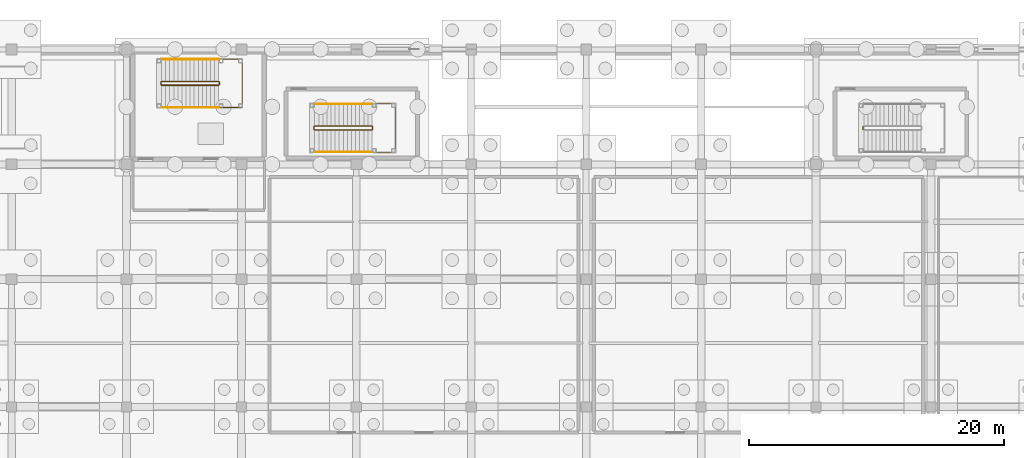
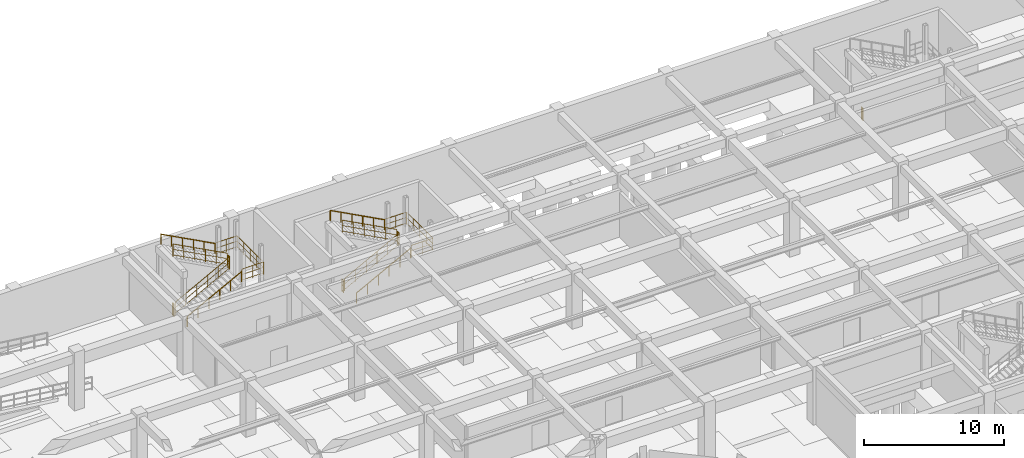
# One storey, part 60 of 62: 15 railings.
"""IFC4 building model written with IfcOpenShell, lengths in metres."""

from ifc_helpers import new_model, si_unit, direction, frame, origin, origin_2d, place, context, subcontext, project, spatial, circle, extrude, material, type_object, element, save


model = new_model("IFC4")

# Units and contexts
model_context = context("Model", 3, precision=1e-05, world=origin(), true_north=direction((0.0, 1.0)))
body_context = subcontext(model_context, "Body", "Model", "MODEL_VIEW")
ifc_project = project(units=[si_unit("LENGTHUNIT", "METRE"), si_unit("AREAUNIT", "SQUARE_METRE"), si_unit("VOLUMEUNIT", "CUBIC_METRE"), si_unit("PLANEANGLEUNIT", "RADIAN"), si_unit("MASSUNIT", "GRAM", prefix="KILO")], contexts=[model_context])

# Site, building, storey
site_placement = place(None, origin())
site = spatial("IfcSite", under=ifc_project, at=site_placement, CompositionType="ELEMENT")
building_placement = place(site_placement, origin())
building = spatial("IfcBuilding", under=site, at=building_placement, Name="Miravela Opera House", CompositionType="ELEMENT")
storey_placement = place(building_placement, frame((0.0, 0.0, -5.10009765625)))
storey = spatial("IfcBuildingStorey", under=building, at=storey_placement, Name="B01", CompositionType="ELEMENT", Elevation=-5.10009765625)

# Railings
ifc_material_1 = material(Name="Brushed bronze continuous stair handrail")
railing_type_1 = type_object("IfcRailingType", Name="ARC-RAIL-HAND-900", PredefinedType="HANDRAIL", material=ifc_material_1)
railing_1_placement = place(storey_placement, frame((65.739990234375, 107.449951171875, 0.170166015625)))
element("IfcRailing", 1, at=railing_1_placement, inside=storey, type_object=railing_type_1, Name="B01 ST-05 stair handrail 1", PredefinedType="HANDRAIL", context=body_context, shape_type="SweptSolid", body=[
    extrude(circle(Radius=0.02392578125, at=origin_2d()), frame((0.0, 0.0, 0.8759765625), z_axis=(0.883124442951, 0.0, 0.469138804899), x_axis=(0.0, 1.0, 0.0)), (0.0, 0.0, 1.0), 5.07275390625),
    extrude(circle(Radius=0.02099609375, at=origin_2d()), origin(), (0.0, 0.0, 1.0), 0.851806640625),
    extrude(circle(Radius=0.02099609375, at=origin_2d()), frame((0.89599609375, 0.0, 0.47607421875)), (0.0, 0.0, 1.0), 0.851806640625),
    extrude(circle(Radius=0.02099609375, at=origin_2d()), frame((1.7919921875, 0.0, 0.951904296875)), (0.0, 0.0, 1.0), 0.851806640625),
    extrude(circle(Radius=0.02099609375, at=origin_2d()), frame((2.68798828125, 0.0, 1.427978515625)), (0.0, 0.0, 1.0), 0.851806640625),
    extrude(circle(Radius=0.02099609375, at=origin_2d()), frame((3.583984375, 0.0, 1.90380859375)), (0.0, 0.0, 1.0), 0.851806640625),
    extrude(circle(Radius=0.02099609375, at=origin_2d()), frame((4.47998046875, 0.0, 2.3798828125)), (0.0, 0.0, 1.0), 0.851806640625),
])
railing_2_placement = place(storey_placement, frame((70.219970703125, 111.22998046875, 2.72021484375)))
element("IfcRailing", 2, at=railing_2_placement, inside=storey, type_object=railing_type_1, Name="B01 ST-05 stair handrail 2", PredefinedType="HANDRAIL", context=body_context, shape_type="SweptSolid", body=[
    extrude(circle(Radius=0.02392578125, at=origin_2d()), frame((0.0, 0.0, 0.8759765625), z_axis=(-0.883124442951, 0.0, 0.469138804899), x_axis=(0.0, -1.0, 0.0)), (0.0, 0.0, 1.0), 5.07275390625),
    extrude(circle(Radius=0.02099609375, at=origin_2d()), origin(), (0.0, 0.0, 1.0), 0.851806640625),
    extrude(circle(Radius=0.02099609375, at=origin_2d()), frame((-0.89599609375, 0.0, 0.47607421875)), (0.0, 0.0, 1.0), 0.851806640625),
    extrude(circle(Radius=0.02099609375, at=origin_2d()), frame((-1.7919921875, 0.0, 0.951904296875)), (0.0, 0.0, 1.0), 0.851806640625),
    extrude(circle(Radius=0.02099609375, at=origin_2d()), frame((-2.68798828125, 0.0, 1.427978515625)), (0.0, 0.0, 1.0), 0.851806640625),
    extrude(circle(Radius=0.02099609375, at=origin_2d()), frame((-3.583984375, 0.0, 1.90380859375)), (0.0, 0.0, 1.0), 0.851806640625),
    extrude(circle(Radius=0.02099609375, at=origin_2d()), frame((-4.47998046875, 0.0, 2.3798828125)), (0.0, 0.0, 1.0), 0.851806640625),
])
railing_3_placement = place(storey_placement, frame((77.739990234375, 103.949951171875, 0.170166015625)))
element("IfcRailing", 3, at=railing_3_placement, inside=storey, type_object=railing_type_1, Name="B01 ST-07 stair handrail 1", PredefinedType="HANDRAIL", context=body_context, shape_type="SweptSolid", body=[
    extrude(circle(Radius=0.02392578125, at=origin_2d()), frame((0.0, 0.0, 0.8759765625), z_axis=(0.883124442951, 0.0, 0.469138804899), x_axis=(0.0, 1.0, 0.0)), (0.0, 0.0, 1.0), 5.07275390625),
    extrude(circle(Radius=0.02099609375, at=origin_2d()), origin(), (0.0, 0.0, 1.0), 0.851806640625),
    extrude(circle(Radius=0.02099609375, at=origin_2d()), frame((0.89599609375, 0.0, 0.47607421875)), (0.0, 0.0, 1.0), 0.851806640625),
    extrude(circle(Radius=0.02099609375, at=origin_2d()), frame((1.7919921875, 0.0, 0.951904296875)), (0.0, 0.0, 1.0), 0.851806640625),
    extrude(circle(Radius=0.02099609375, at=origin_2d()), frame((2.68798828125, 0.0, 1.427978515625)), (0.0, 0.0, 1.0), 0.851806640625),
    extrude(circle(Radius=0.02099609375, at=origin_2d()), frame((3.583984375, 0.0, 1.90380859375)), (0.0, 0.0, 1.0), 0.851806640625),
    extrude(circle(Radius=0.02099609375, at=origin_2d()), frame((4.47998046875, 0.0, 2.3798828125)), (0.0, 0.0, 1.0), 0.851806640625),
])
railing_4_placement = place(storey_placement, frame((82.219970703125, 107.72998046875, 2.72021484375)))
element("IfcRailing", 4, at=railing_4_placement, inside=storey, type_object=railing_type_1, Name="B01 ST-07 stair handrail 2", PredefinedType="HANDRAIL", context=body_context, shape_type="SweptSolid", body=[
    extrude(circle(Radius=0.02392578125, at=origin_2d()), frame((0.0, 0.0, 0.8759765625), z_axis=(-0.883124442951, 0.0, 0.469138804899), x_axis=(0.0, -1.0, 0.0)), (0.0, 0.0, 1.0), 5.07275390625),
    extrude(circle(Radius=0.02099609375, at=origin_2d()), origin(), (0.0, 0.0, 1.0), 0.851806640625),
    extrude(circle(Radius=0.02099609375, at=origin_2d()), frame((-0.89599609375, 0.0, 0.47607421875)), (0.0, 0.0, 1.0), 0.851806640625),
    extrude(circle(Radius=0.02099609375, at=origin_2d()), frame((-1.7919921875, 0.0, 0.951904296875)), (0.0, 0.0, 1.0), 0.851806640625),
    extrude(circle(Radius=0.02099609375, at=origin_2d()), frame((-2.68798828125, 0.0, 1.427978515625)), (0.0, 0.0, 1.0), 0.851806640625),
    extrude(circle(Radius=0.02099609375, at=origin_2d()), frame((-3.583984375, 0.0, 1.90380859375)), (0.0, 0.0, 1.0), 0.851806640625),
    extrude(circle(Radius=0.02099609375, at=origin_2d()), frame((-4.47998046875, 0.0, 2.3798828125)), (0.0, 0.0, 1.0), 0.851806640625),
])
ifc_material_2 = material(Name="Painted wrought-iron stair guardrail")
railing_type_2 = type_object("IfcRailingType", Name="ARC-RAIL-STAIR-GUARD", PredefinedType="GUARDRAIL", material=ifc_material_2)
railing_5_placement = place(storey_placement, frame((65.739990234375, 109.18994140625, 0.170166015625)))
element("IfcRailing", 5, at=railing_5_placement, inside=storey, type_object=railing_type_2, Name="B01 ST-05 stair guard 1", PredefinedType="GUARDRAIL", context=body_context, shape_type="SweptSolid", body=[
    extrude(circle(Radius=0.02392578125, at=origin_2d()), frame((0.0, 0.0, 1.076171875), z_axis=(0.883124442951, 0.0, 0.469138804899), x_axis=(0.0, 1.0, 0.0)), (0.0, 0.0, 1.0), 5.07275390625),
    extrude(circle(Radius=0.01611328125, at=origin_2d()), frame((0.0, 0.0, 0.60498046875), z_axis=(0.883124442951, 0.0, 0.469138804899), x_axis=(0.0, 1.0, 0.0)), (0.0, 0.0, 1.0), 5.07275390625),
    extrude(circle(Radius=0.01611328125, at=origin_2d()), frame((0.0, 0.0, 0.1201171875), z_axis=(0.883124442951, 0.0, 0.469138804899), x_axis=(0.0, 1.0, 0.0)), (0.0, 0.0, 1.0), 5.07275390625),
    extrude(circle(Radius=0.02099609375, at=origin_2d()), origin(), (0.0, 0.0, 1.0), 1.052001953125),
    extrude(circle(Radius=0.02099609375, at=origin_2d()), frame((0.89599609375, 0.0, 0.47607421875)), (0.0, 0.0, 1.0), 1.052001953125),
    extrude(circle(Radius=0.02099609375, at=origin_2d()), frame((1.7919921875, 0.0, 0.951904296875)), (0.0, 0.0, 1.0), 1.052001953125),
    extrude(circle(Radius=0.02099609375, at=origin_2d()), frame((2.68798828125, 0.0, 1.427978515625)), (0.0, 0.0, 1.0), 1.052001953125),
    extrude(circle(Radius=0.02099609375, at=origin_2d()), frame((3.583984375, 0.0, 1.90380859375)), (0.0, 0.0, 1.0), 1.052001953125),
    extrude(circle(Radius=0.02099609375, at=origin_2d()), frame((4.47998046875, 0.0, 2.3798828125)), (0.0, 0.0, 1.0), 1.052001953125),
])
railing_6_placement = place(storey_placement, frame((70.27001953125, 109.239990234375, 2.550048828125)))
element("IfcRailing", 6, at=railing_6_placement, inside=storey, type_object=railing_type_2, Name="B01 ST-05 stair guard 2", PredefinedType="GUARDRAIL", context=body_context, shape_type="SweptSolid", body=[
    extrude(circle(Radius=0.02392578125, at=origin_2d()), frame((0.0, 0.0, 1.076171875), z_axis=(0.0, 1.0, 0.0), x_axis=(-1.0, 0.0, 0.0)), (0.0, 0.0, 1.0), 0.199951171875),
    extrude(circle(Radius=0.01611328125, at=origin_2d()), frame((0.0, 0.0, 0.60498046875), z_axis=(0.0, 1.0, 0.0), x_axis=(-1.0, 0.0, 0.0)), (0.0, 0.0, 1.0), 0.199951171875),
    extrude(circle(Radius=0.01611328125, at=origin_2d()), frame((0.0, 0.0, 0.1201171875), z_axis=(0.0, 1.0, 0.0), x_axis=(-1.0, 0.0, 0.0)), (0.0, 0.0, 1.0), 0.199951171875),
    extrude(circle(Radius=0.02099609375, at=origin_2d()), origin(), (0.0, 0.0, 1.0), 1.052001953125),
    extrude(circle(Radius=0.02099609375, at=origin_2d()), frame((0.0, 0.199951171875, 0.0)), (0.0, 0.0, 1.0), 1.052001953125),
])
railing_7_placement = place(storey_placement, frame((70.219970703125, 109.489990234375, 2.72021484375)))
element("IfcRailing", 7, at=railing_7_placement, inside=storey, type_object=railing_type_2, Name="B01 ST-05 stair guard 3", PredefinedType="GUARDRAIL", context=body_context, shape_type="SweptSolid", body=[
    extrude(circle(Radius=0.02392578125, at=origin_2d()), frame((0.0, 0.0, 1.076171875), z_axis=(-0.883124442951, 0.0, 0.469138804899), x_axis=(0.0, -1.0, 0.0)), (0.0, 0.0, 1.0), 5.07275390625),
    extrude(circle(Radius=0.01611328125, at=origin_2d()), frame((0.0, 0.0, 0.60498046875), z_axis=(-0.883124442951, 0.0, 0.469138804899), x_axis=(0.0, -1.0, 0.0)), (0.0, 0.0, 1.0), 5.07275390625),
    extrude(circle(Radius=0.01611328125, at=origin_2d()), frame((0.0, 0.0, 0.1201171875), z_axis=(-0.883124442951, 0.0, 0.469138804899), x_axis=(0.0, -1.0, 0.0)), (0.0, 0.0, 1.0), 5.07275390625),
    extrude(circle(Radius=0.02099609375, at=origin_2d()), origin(), (0.0, 0.0, 1.0), 1.052001953125),
    extrude(circle(Radius=0.02099609375, at=origin_2d()), frame((-0.89599609375, 0.0, 0.47607421875)), (0.0, 0.0, 1.0), 1.052001953125),
    extrude(circle(Radius=0.02099609375, at=origin_2d()), frame((-1.7919921875, 0.0, 0.951904296875)), (0.0, 0.0, 1.0), 1.052001953125),
    extrude(circle(Radius=0.02099609375, at=origin_2d()), frame((-2.68798828125, 0.0, 1.427978515625)), (0.0, 0.0, 1.0), 1.052001953125),
    extrude(circle(Radius=0.02099609375, at=origin_2d()), frame((-3.583984375, 0.0, 1.90380859375)), (0.0, 0.0, 1.0), 1.052001953125),
    extrude(circle(Radius=0.02099609375, at=origin_2d()), frame((-4.47998046875, 0.0, 2.3798828125)), (0.0, 0.0, 1.0), 1.052001953125),
])
railing_8_placement = place(storey_placement, frame((65.68994140625, 109.239990234375, 0.0)))
element("IfcRailing", 8, at=railing_8_placement, inside=storey, type_object=railing_type_2, Name="B01 ST-05 stair guard 4", PredefinedType="GUARDRAIL", context=body_context, shape_type="SweptSolid", body=[
    extrude(circle(Radius=0.02392578125, at=origin_2d()), frame((0.0, 0.0, 1.076171875), z_axis=(0.0, 1.0, 0.0), x_axis=(-1.0, 0.0, 0.0)), (0.0, 0.0, 1.0), 0.199951171875),
    extrude(circle(Radius=0.01611328125, at=origin_2d()), frame((0.0, 0.0, 0.60498046875), z_axis=(0.0, 1.0, 0.0), x_axis=(-1.0, 0.0, 0.0)), (0.0, 0.0, 1.0), 0.199951171875),
    extrude(circle(Radius=0.01611328125, at=origin_2d()), frame((0.0, 0.0, 0.1201171875), z_axis=(0.0, 1.0, 0.0), x_axis=(-1.0, 0.0, 0.0)), (0.0, 0.0, 1.0), 0.199951171875),
    extrude(circle(Radius=0.02099609375, at=origin_2d()), origin(), (0.0, 0.0, 1.0), 1.052001953125),
    extrude(circle(Radius=0.02099609375, at=origin_2d()), frame((0.0, 0.199951171875, 0.0)), (0.0, 0.0, 1.0), 1.052001953125),
])
railing_9_placement = place(storey_placement, frame((70.27001953125, 107.449951171875, 2.550048828125)))
element("IfcRailing", 9, at=railing_9_placement, inside=storey, type_object=railing_type_2, Name="Stair ST-05 Half-Landing Perimeter Guard (B01) 0049", PredefinedType="GUARDRAIL", context=body_context, shape_type="SweptSolid", body=[
    extrude(circle(Radius=0.02392578125, at=origin_2d()), frame((0.0, 0.0, 1.076171875), z_axis=(1.0, 0.0, 0.0), x_axis=(0.0, 1.0, 0.0)), (0.0, 0.0, 1.0), 1.780029296875),
    extrude(circle(Radius=0.01611328125, at=origin_2d()), frame((0.0, 0.0, 0.60498046875), z_axis=(1.0, 0.0, 0.0), x_axis=(0.0, 1.0, 0.0)), (0.0, 0.0, 1.0), 1.780029296875),
    extrude(circle(Radius=0.01611328125, at=origin_2d()), frame((0.0, 0.0, 0.1201171875), z_axis=(1.0, 0.0, 0.0), x_axis=(0.0, 1.0, 0.0)), (0.0, 0.0, 1.0), 1.780029296875),
    extrude(circle(Radius=0.02392578125, at=origin_2d()), frame((1.780029296875, 0.0, 1.076171875), z_axis=(0.0, 1.0, 0.0), x_axis=(-1.0, 0.0, 0.0)), (0.0, 0.0, 1.0), 3.780029296875),
    extrude(circle(Radius=0.01611328125, at=origin_2d()), frame((1.780029296875, 0.0, 0.60498046875), z_axis=(0.0, 1.0, 0.0), x_axis=(-1.0, 0.0, 0.0)), (0.0, 0.0, 1.0), 3.780029296875),
    extrude(circle(Radius=0.01611328125, at=origin_2d()), frame((1.780029296875, 0.0, 0.1201171875), z_axis=(0.0, 1.0, 0.0), x_axis=(-1.0, 0.0, 0.0)), (0.0, 0.0, 1.0), 3.780029296875),
    extrude(circle(Radius=0.02392578125, at=origin_2d()), frame((1.780029296875, 3.780029296875, 1.076171875), z_axis=(-1.0, 0.0, 0.0), x_axis=(0.0, -1.0, 0.0)), (0.0, 0.0, 1.0), 1.780029296875),
    extrude(circle(Radius=0.01611328125, at=origin_2d()), frame((1.780029296875, 3.780029296875, 0.60498046875), z_axis=(-1.0, 0.0, 0.0), x_axis=(0.0, -1.0, 0.0)), (0.0, 0.0, 1.0), 1.780029296875),
    extrude(circle(Radius=0.01611328125, at=origin_2d()), frame((1.780029296875, 3.780029296875, 0.1201171875), z_axis=(-1.0, 0.0, 0.0), x_axis=(0.0, -1.0, 0.0)), (0.0, 0.0, 1.0), 1.780029296875),
    extrude(circle(Radius=0.02099609375, at=origin_2d()), origin(), (0.0, 0.0, 1.0), 1.052001953125),
    extrude(circle(Radius=0.02099609375, at=origin_2d()), frame((0.89013671875, 0.0, 0.0)), (0.0, 0.0, 1.0), 1.052001953125),
    extrude(circle(Radius=0.02099609375, at=origin_2d()), frame((1.780029296875, 0.0, 0.0)), (0.0, 0.0, 1.0), 1.052001953125),
    extrude(circle(Radius=0.02099609375, at=origin_2d()), frame((1.780029296875, 0.945068359375, 0.0)), (0.0, 0.0, 1.0), 1.052001953125),
    extrude(circle(Radius=0.02099609375, at=origin_2d()), frame((1.780029296875, 1.89013671875, 0.0)), (0.0, 0.0, 1.0), 1.052001953125),
    extrude(circle(Radius=0.02099609375, at=origin_2d()), frame((1.780029296875, 2.8349609375, 0.0)), (0.0, 0.0, 1.0), 1.052001953125),
    extrude(circle(Radius=0.02099609375, at=origin_2d()), frame((1.780029296875, 3.780029296875, 0.0)), (0.0, 0.0, 1.0), 1.052001953125),
    extrude(circle(Radius=0.02099609375, at=origin_2d()), frame((0.89013671875, 3.780029296875, 0.0)), (0.0, 0.0, 1.0), 1.052001953125),
    extrude(circle(Radius=0.02099609375, at=origin_2d()), frame((0.0, 3.780029296875, 0.0)), (0.0, 0.0, 1.0), 1.052001953125),
])
railing_10_placement = place(storey_placement, frame((77.739990234375, 105.68994140625, 0.170166015625)))
element("IfcRailing", 10, at=railing_10_placement, inside=storey, type_object=railing_type_2, Name="B01 ST-07 stair guard 1", PredefinedType="GUARDRAIL", context=body_context, shape_type="SweptSolid", body=[
    extrude(circle(Radius=0.02392578125, at=origin_2d()), frame((0.0, 0.0, 1.076171875), z_axis=(0.883124442951, 0.0, 0.469138804899), x_axis=(0.0, 1.0, 0.0)), (0.0, 0.0, 1.0), 5.07275390625),
    extrude(circle(Radius=0.01611328125, at=origin_2d()), frame((0.0, 0.0, 0.60498046875), z_axis=(0.883124442951, 0.0, 0.469138804899), x_axis=(0.0, 1.0, 0.0)), (0.0, 0.0, 1.0), 5.07275390625),
    extrude(circle(Radius=0.01611328125, at=origin_2d()), frame((0.0, 0.0, 0.1201171875), z_axis=(0.883124442951, 0.0, 0.469138804899), x_axis=(0.0, 1.0, 0.0)), (0.0, 0.0, 1.0), 5.07275390625),
    extrude(circle(Radius=0.02099609375, at=origin_2d()), origin(), (0.0, 0.0, 1.0), 1.052001953125),
    extrude(circle(Radius=0.02099609375, at=origin_2d()), frame((0.89599609375, 0.0, 0.47607421875)), (0.0, 0.0, 1.0), 1.052001953125),
    extrude(circle(Radius=0.02099609375, at=origin_2d()), frame((1.7919921875, 0.0, 0.951904296875)), (0.0, 0.0, 1.0), 1.052001953125),
    extrude(circle(Radius=0.02099609375, at=origin_2d()), frame((2.68798828125, 0.0, 1.427978515625)), (0.0, 0.0, 1.0), 1.052001953125),
    extrude(circle(Radius=0.02099609375, at=origin_2d()), frame((3.583984375, 0.0, 1.90380859375)), (0.0, 0.0, 1.0), 1.052001953125),
    extrude(circle(Radius=0.02099609375, at=origin_2d()), frame((4.47998046875, 0.0, 2.3798828125)), (0.0, 0.0, 1.0), 1.052001953125),
])
railing_11_placement = place(storey_placement, frame((82.27001953125, 105.739990234375, 2.550048828125)))
element("IfcRailing", 11, at=railing_11_placement, inside=storey, type_object=railing_type_2, Name="B01 ST-07 stair guard 2", PredefinedType="GUARDRAIL", context=body_context, shape_type="SweptSolid", body=[
    extrude(circle(Radius=0.02392578125, at=origin_2d()), frame((0.0, 0.0, 1.076171875), z_axis=(0.0, 1.0, 0.0), x_axis=(-1.0, 0.0, 0.0)), (0.0, 0.0, 1.0), 0.199951171875),
    extrude(circle(Radius=0.01611328125, at=origin_2d()), frame((0.0, 0.0, 0.60498046875), z_axis=(0.0, 1.0, 0.0), x_axis=(-1.0, 0.0, 0.0)), (0.0, 0.0, 1.0), 0.199951171875),
    extrude(circle(Radius=0.01611328125, at=origin_2d()), frame((0.0, 0.0, 0.1201171875), z_axis=(0.0, 1.0, 0.0), x_axis=(-1.0, 0.0, 0.0)), (0.0, 0.0, 1.0), 0.199951171875),
    extrude(circle(Radius=0.02099609375, at=origin_2d()), origin(), (0.0, 0.0, 1.0), 1.052001953125),
    extrude(circle(Radius=0.02099609375, at=origin_2d()), frame((0.0, 0.199951171875, 0.0)), (0.0, 0.0, 1.0), 1.052001953125),
])
railing_12_placement = place(storey_placement, frame((82.219970703125, 105.989990234375, 2.72021484375)))
element("IfcRailing", 12, at=railing_12_placement, inside=storey, type_object=railing_type_2, Name="B01 ST-07 stair guard 3", PredefinedType="GUARDRAIL", context=body_context, shape_type="SweptSolid", body=[
    extrude(circle(Radius=0.02392578125, at=origin_2d()), frame((0.0, 0.0, 1.076171875), z_axis=(-0.883124442951, 0.0, 0.469138804899), x_axis=(0.0, -1.0, 0.0)), (0.0, 0.0, 1.0), 5.07275390625),
    extrude(circle(Radius=0.01611328125, at=origin_2d()), frame((0.0, 0.0, 0.60498046875), z_axis=(-0.883124442951, 0.0, 0.469138804899), x_axis=(0.0, -1.0, 0.0)), (0.0, 0.0, 1.0), 5.07275390625),
    extrude(circle(Radius=0.01611328125, at=origin_2d()), frame((0.0, 0.0, 0.1201171875), z_axis=(-0.883124442951, 0.0, 0.469138804899), x_axis=(0.0, -1.0, 0.0)), (0.0, 0.0, 1.0), 5.07275390625),
    extrude(circle(Radius=0.02099609375, at=origin_2d()), origin(), (0.0, 0.0, 1.0), 1.052001953125),
    extrude(circle(Radius=0.02099609375, at=origin_2d()), frame((-0.89599609375, 0.0, 0.47607421875)), (0.0, 0.0, 1.0), 1.052001953125),
    extrude(circle(Radius=0.02099609375, at=origin_2d()), frame((-1.7919921875, 0.0, 0.951904296875)), (0.0, 0.0, 1.0), 1.052001953125),
    extrude(circle(Radius=0.02099609375, at=origin_2d()), frame((-2.68798828125, 0.0, 1.427978515625)), (0.0, 0.0, 1.0), 1.052001953125),
    extrude(circle(Radius=0.02099609375, at=origin_2d()), frame((-3.583984375, 0.0, 1.90380859375)), (0.0, 0.0, 1.0), 1.052001953125),
    extrude(circle(Radius=0.02099609375, at=origin_2d()), frame((-4.47998046875, 0.0, 2.3798828125)), (0.0, 0.0, 1.0), 1.052001953125),
])
railing_13_placement = place(storey_placement, frame((77.68994140625, 105.739990234375, 0.0)))
element("IfcRailing", 13, at=railing_13_placement, inside=storey, type_object=railing_type_2, Name="B01 ST-07 stair guard 4", PredefinedType="GUARDRAIL", context=body_context, shape_type="SweptSolid", body=[
    extrude(circle(Radius=0.02392578125, at=origin_2d()), frame((0.0, 0.0, 1.076171875), z_axis=(0.0, 1.0, 0.0), x_axis=(-1.0, 0.0, 0.0)), (0.0, 0.0, 1.0), 0.199951171875),
    extrude(circle(Radius=0.01611328125, at=origin_2d()), frame((0.0, 0.0, 0.60498046875), z_axis=(0.0, 1.0, 0.0), x_axis=(-1.0, 0.0, 0.0)), (0.0, 0.0, 1.0), 0.199951171875),
    extrude(circle(Radius=0.01611328125, at=origin_2d()), frame((0.0, 0.0, 0.1201171875), z_axis=(0.0, 1.0, 0.0), x_axis=(-1.0, 0.0, 0.0)), (0.0, 0.0, 1.0), 0.199951171875),
    extrude(circle(Radius=0.02099609375, at=origin_2d()), origin(), (0.0, 0.0, 1.0), 1.052001953125),
    extrude(circle(Radius=0.02099609375, at=origin_2d()), frame((0.0, 0.199951171875, 0.0)), (0.0, 0.0, 1.0), 1.052001953125),
])
railing_14_placement = place(storey_placement, frame((82.27001953125, 103.949951171875, 2.550048828125)))
element("IfcRailing", 14, at=railing_14_placement, inside=storey, type_object=railing_type_2, Name="Stair ST-07 Half-Landing Perimeter Guard (B01) 0067", PredefinedType="GUARDRAIL", context=body_context, shape_type="SweptSolid", body=[
    extrude(circle(Radius=0.02392578125, at=origin_2d()), frame((0.0, 0.0, 1.076171875), z_axis=(1.0, 0.0, 0.0), x_axis=(0.0, 1.0, 0.0)), (0.0, 0.0, 1.0), 1.780029296875),
    extrude(circle(Radius=0.01611328125, at=origin_2d()), frame((0.0, 0.0, 0.60498046875), z_axis=(1.0, 0.0, 0.0), x_axis=(0.0, 1.0, 0.0)), (0.0, 0.0, 1.0), 1.780029296875),
    extrude(circle(Radius=0.01611328125, at=origin_2d()), frame((0.0, 0.0, 0.1201171875), z_axis=(1.0, 0.0, 0.0), x_axis=(0.0, 1.0, 0.0)), (0.0, 0.0, 1.0), 1.780029296875),
    extrude(circle(Radius=0.02392578125, at=origin_2d()), frame((1.780029296875, 0.0, 1.076171875), z_axis=(0.0, 1.0, 0.0), x_axis=(-1.0, 0.0, 0.0)), (0.0, 0.0, 1.0), 3.780029296875),
    extrude(circle(Radius=0.01611328125, at=origin_2d()), frame((1.780029296875, 0.0, 0.60498046875), z_axis=(0.0, 1.0, 0.0), x_axis=(-1.0, 0.0, 0.0)), (0.0, 0.0, 1.0), 3.780029296875),
    extrude(circle(Radius=0.01611328125, at=origin_2d()), frame((1.780029296875, 0.0, 0.1201171875), z_axis=(0.0, 1.0, 0.0), x_axis=(-1.0, 0.0, 0.0)), (0.0, 0.0, 1.0), 3.780029296875),
    extrude(circle(Radius=0.02392578125, at=origin_2d()), frame((1.780029296875, 3.780029296875, 1.076171875), z_axis=(-1.0, 0.0, 0.0), x_axis=(0.0, -1.0, 0.0)), (0.0, 0.0, 1.0), 1.780029296875),
    extrude(circle(Radius=0.01611328125, at=origin_2d()), frame((1.780029296875, 3.780029296875, 0.60498046875), z_axis=(-1.0, 0.0, 0.0), x_axis=(0.0, -1.0, 0.0)), (0.0, 0.0, 1.0), 1.780029296875),
    extrude(circle(Radius=0.01611328125, at=origin_2d()), frame((1.780029296875, 3.780029296875, 0.1201171875), z_axis=(-1.0, 0.0, 0.0), x_axis=(0.0, -1.0, 0.0)), (0.0, 0.0, 1.0), 1.780029296875),
    extrude(circle(Radius=0.02099609375, at=origin_2d()), origin(), (0.0, 0.0, 1.0), 1.052001953125),
    extrude(circle(Radius=0.02099609375, at=origin_2d()), frame((0.89013671875, 0.0, 0.0)), (0.0, 0.0, 1.0), 1.052001953125),
    extrude(circle(Radius=0.02099609375, at=origin_2d()), frame((1.780029296875, 0.0, 0.0)), (0.0, 0.0, 1.0), 1.052001953125),
    extrude(circle(Radius=0.02099609375, at=origin_2d()), frame((1.780029296875, 0.945068359375, 0.0)), (0.0, 0.0, 1.0), 1.052001953125),
    extrude(circle(Radius=0.02099609375, at=origin_2d()), frame((1.780029296875, 1.89013671875, 0.0)), (0.0, 0.0, 1.0), 1.052001953125),
    extrude(circle(Radius=0.02099609375, at=origin_2d()), frame((1.780029296875, 2.8349609375, 0.0)), (0.0, 0.0, 1.0), 1.052001953125),
    extrude(circle(Radius=0.02099609375, at=origin_2d()), frame((1.780029296875, 3.780029296875, 0.0)), (0.0, 0.0, 1.0), 1.052001953125),
    extrude(circle(Radius=0.02099609375, at=origin_2d()), frame((0.89013671875, 3.780029296875, 0.0)), (0.0, 0.0, 1.0), 1.052001953125),
    extrude(circle(Radius=0.02099609375, at=origin_2d()), frame((0.0, 3.780029296875, 0.0)), (0.0, 0.0, 1.0), 1.052001953125),
])
railing_15_placement = place(storey_placement, frame((120.68994140625, 105.739990234375, 0.0)))
element("IfcRailing", 15, at=railing_15_placement, inside=storey, type_object=railing_type_2, Name="B01 ST-09 stair guard 4", PredefinedType="GUARDRAIL", context=body_context, shape_type="SweptSolid", body=[
    extrude(circle(Radius=0.02392578125, at=origin_2d()), frame((0.0, 0.0, 1.076171875), z_axis=(0.0, 1.0, 0.0), x_axis=(-1.0, 0.0, 0.0)), (0.0, 0.0, 1.0), 0.199951171875),
    extrude(circle(Radius=0.01611328125, at=origin_2d()), frame((0.0, 0.0, 0.60498046875), z_axis=(0.0, 1.0, 0.0), x_axis=(-1.0, 0.0, 0.0)), (0.0, 0.0, 1.0), 0.199951171875),
    extrude(circle(Radius=0.01611328125, at=origin_2d()), frame((0.0, 0.0, 0.1201171875), z_axis=(0.0, 1.0, 0.0), x_axis=(-1.0, 0.0, 0.0)), (0.0, 0.0, 1.0), 0.199951171875),
    extrude(circle(Radius=0.02099609375, at=origin_2d()), origin(), (0.0, 0.0, 1.0), 1.052001953125),
    extrude(circle(Radius=0.02099609375, at=origin_2d()), frame((0.0, 0.199951171875, 0.0)), (0.0, 0.0, 1.0), 1.052001953125),
])

save(model, "model.ifc")
